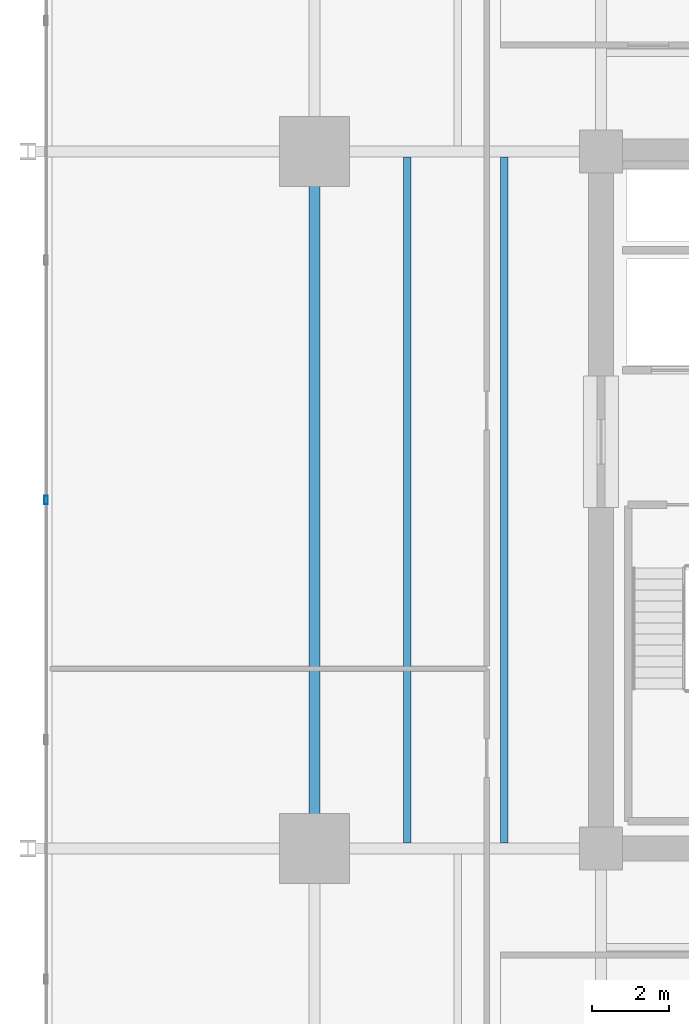
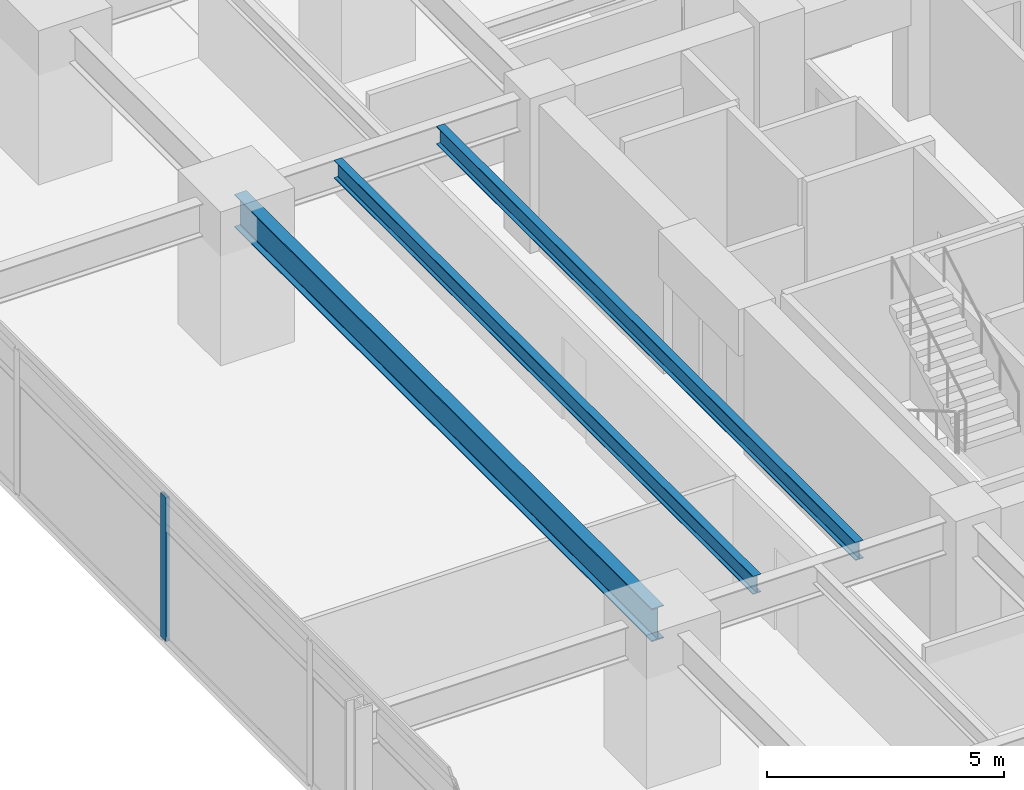
# One storey, part 6 of 22: 3 beams, 1 member, 1 element without a shape of its own.
"""IFC4 building model written with IfcOpenShell, lengths in metres."""

from ifc_helpers import new_model, si_unit, direction, frame, origin, origin_2d, place, context, subcontext, project, spatial, hollow_rectangle, i_section, extrude, material, material_profile, profile_set, type_object, element, aggregate, save


model = new_model("IFC4")

# Units and contexts
model_context = context("Model", 3, precision=1e-05, world=origin(), true_north=direction((0.0, 1.0)))
body_context = subcontext(model_context, "Body", "Model", "MODEL_VIEW")
ifc_project = project(units=[si_unit("LENGTHUNIT", "METRE"), si_unit("AREAUNIT", "SQUARE_METRE"), si_unit("VOLUMEUNIT", "CUBIC_METRE"), si_unit("PLANEANGLEUNIT", "RADIAN"), si_unit("MASSUNIT", "GRAM", prefix="KILO")], contexts=[model_context])

# Site, building, storey
site_placement = place(None, origin())
site = spatial("IfcSite", under=ifc_project, at=site_placement, CompositionType="ELEMENT")
building_placement = place(site_placement, origin())
building = spatial("IfcBuilding", under=site, at=building_placement, Name="Kovane Verandah Tower", CompositionType="ELEMENT")
storey_placement = place(building_placement, frame((0.0, 0.0, 43.60009765625)))
storey = spatial("IfcBuildingStorey", under=building, at=storey_placement, Name="L09", CompositionType="ELEMENT", Elevation=43.60009765625)

# Beam
ifc_material_1 = material(Name="Steel S355", Category="steel")
ifc_material_profile_1 = material_profile(ifc_material_1, i_section(OverallWidth=0.293701171875, OverallDepth=0.850830078125, WebThickness=0.01611328125, FlangeThickness=0.02685546875, FilletRadius=0.017822265625, at=origin_2d()), Name="UB838x292x226")
ifc_profile_set_1 = profile_set([ifc_material_profile_1], Name="Steel S355")
beam_type_1 = type_object("IfcBeamType", Name="BM-UB838x226", PredefinedType="BEAM", material=ifc_profile_set_1)
beam_placement = place(storey_placement, frame((21.60009765625, 18.679931640625, 3.33447265625), z_axis=(0.0, 1.0, 0.0), x_axis=(-1.0, 0.0, 0.0)))
element("IfcBeam", 1, at=beam_placement, inside=storey, type_object=beam_type_1, Name="L09 Primary Tower Girder G-RW2", PredefinedType="BEAM", context=body_context, shape_type="SweptSolid", body=[
    extrude(i_section(OverallWidth=0.293701171875, OverallDepth=0.850830078125, WebThickness=0.01611328125, FlangeThickness=0.02685546875, FilletRadius=0.017822265625, at=origin_2d()), origin(), (0.0, 0.0, 1.0), 17.64013671875),
])

# Curtain wall, member
ifc_material_2 = material(Name="Champagne Anodised Aluminium Frame with Low-E Clear Laminated Glass", Category="aluminium")
curtain_wall_type = type_object("IfcCurtainWallType", Name="CW-SYS-02-LOW", PredefinedType="NOTDEFINED", material=ifc_material_2)
curtain_wall_placement = place(storey_placement, origin())
curtain_wall = element("IfcCurtainWall", 2, at=curtain_wall_placement, inside=storey, type_object=curtain_wall_type, Name="L09 W Unitised Curtain Wall", PredefinedType="NOTDEFINED")
ifc_material_3 = material(Name="Champagne Anodised Aluminium 6063-T6", Category="aluminium")
ifc_material_profile_2 = material_profile(ifc_material_3, hollow_rectangle(XDim=0.0849609375, YDim=0.22998046875, WallThickness=0.00390625, at=origin_2d()), Name="AL85x230x4")
ifc_profile_set_2 = profile_set([ifc_material_profile_2], Name="Champagne Anodised Aluminium 6063-T6")
member_type = type_object("IfcMemberType", Name="CW-MUL-85x230", PredefinedType="MULLION", material=ifc_profile_set_2)
member_placement = place(storey_placement, frame((14.6669921875, 27.5, 0.02001953125), z_axis=(0.0, 0.0, 1.0), x_axis=(-1.0, 0.0, 0.0)))
member = element("IfcMember", 3, at=member_placement, type_object=member_type, Name="L09 W Unitised Curtain Wall Mullion 4", PredefinedType="MULLION", context=body_context, shape_type="SweptSolid", body=[
    extrude(hollow_rectangle(XDim=0.0849609375, YDim=0.22998046875, WallThickness=0.00390625, at=origin_2d()), origin(), (0.0, 0.0, 1.0), 3.719970703125),
])
aggregate(curtain_wall, [member])

# Beams
ifc_material_profile_3 = material_profile(ifc_material_1, i_section(OverallWidth=0.19287109375, OverallDepth=0.46728515625, WebThickness=0.011474609375, FlangeThickness=0.01953125, FilletRadius=0.01025390625, at=origin_2d()), Name="UB457x191x98")
ifc_profile_set_3 = profile_set([ifc_material_profile_3], Name="Steel S355")
beam_type_2 = type_object("IfcBeamType", Name="JST-UB457x98", PredefinedType="JOIST", material=ifc_profile_set_3)
for number, where, z_axis, x_axis, name in (
    (4, (24.0, 18.64501953125, 3.5263671875), (0.0, 1.0, 0.0), (-1.0, 0.0, 0.0), "L09 Secondary Composite Joist J-W1"),
    (5, (26.5, 18.64501953125, 3.5263671875), (0.0, 1.0, 0.0), (-1.0, 0.0, 0.0), "L09 Secondary Composite Joist J-W2"),
):
    element("IfcBeam", number, at=place(storey_placement, frame(where, z_axis=z_axis, x_axis=x_axis)), inside=storey, type_object=beam_type_2, Name=name, PredefinedType="JOIST", context=body_context, shape_type="SweptSolid", body=[
        extrude(i_section(OverallWidth=0.19287109375, OverallDepth=0.46728515625, WebThickness=0.011474609375, FlangeThickness=0.01953125, FilletRadius=0.01025390625, at=origin_2d()), origin(), (0.0, 0.0, 1.0), 17.7099609375),
    ])

save(model, "model.ifc")
